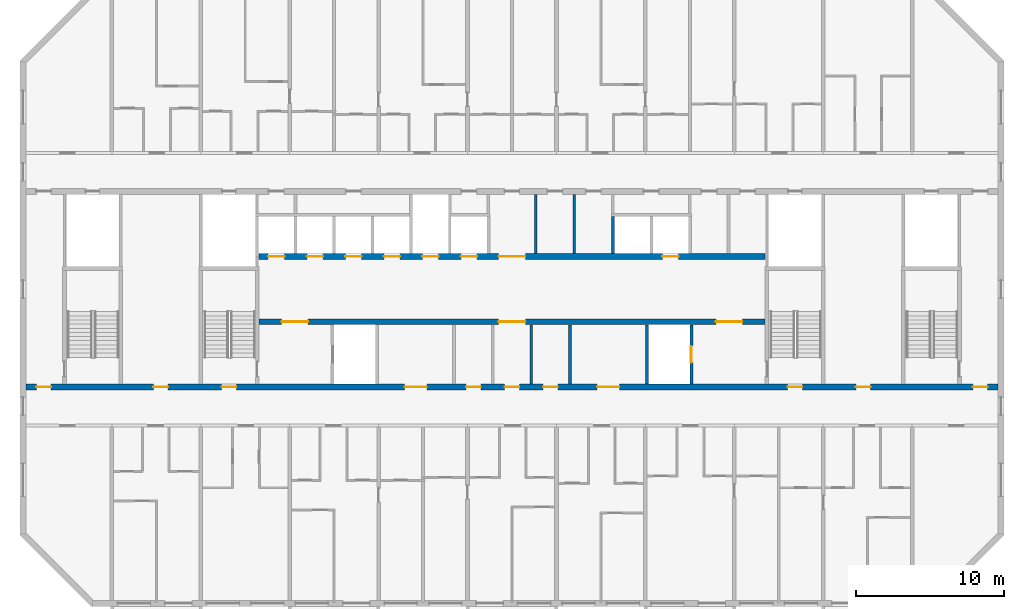
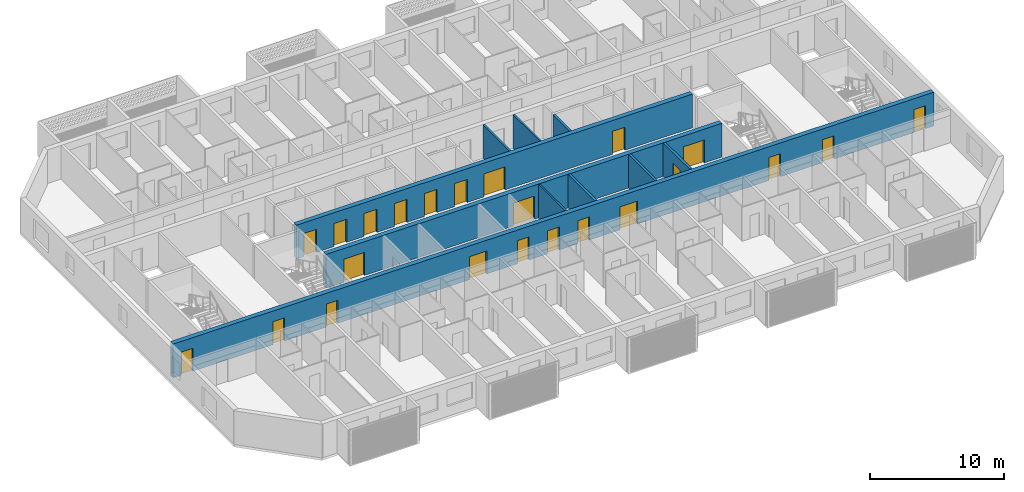
# One storey, part 6 of 27: 23 doors, 10 walls, 23 openings.
"""IFC4 building model written with IfcOpenShell, lengths in metres."""

from ifc_helpers import new_model, si_unit, direction, frame, frame_2d, origin, place, context, subcontext, project, spatial, rectangle, extrude, material, layer, layer_set, type_object, element, fill, save


model = new_model("IFC4")

# Units and contexts
model_context = context("Model", 3, precision=1e-05, world=origin(), true_north=direction((0.0, 1.0)))
body_context = subcontext(model_context, "Body", "Model", "MODEL_VIEW")
ifc_project = project(units=[si_unit("LENGTHUNIT", "METRE"), si_unit("AREAUNIT", "SQUARE_METRE"), si_unit("VOLUMEUNIT", "CUBIC_METRE"), si_unit("PLANEANGLEUNIT", "RADIAN"), si_unit("MASSUNIT", "GRAM", prefix="KILO")], contexts=[model_context])

# Site, building, storey
site_placement = place(None, origin())
site = spatial("IfcSite", under=ifc_project, at=site_placement, CompositionType="ELEMENT")
building_placement = place(site_placement, origin())
building = spatial("IfcBuilding", under=site, at=building_placement, Name="Poui Terraces", CompositionType="ELEMENT")
storey_placement = place(building_placement, frame((0.0, 0.0, 195.0)))
storey = spatial("IfcBuildingStorey", under=building, at=storey_placement, Name="L54", CompositionType="ELEMENT", Elevation=195.0)

# Wall, openings, doors
ifc_material_1 = material(Name="Concrete 50 MPa", Category="concrete")
ifc_layer_1 = layer(ifc_material_1, 0.39990234375)
ifc_layer_set_1 = layer_set([ifc_layer_1], Name="Concrete 50 MPa")
wall_type_1 = type_object("IfcWallType", Name="CORE WALL 400 50 MPA", PredefinedType="SOLIDWALL", material=ifc_layer_set_1)
wall_1_placement = place(storey_placement, frame((33.925048828125, 19.0, 0.0), z_axis=(0.0, 0.0, 1.0), x_axis=(1.0, 0.0, 0.0)))
wall_1 = element("IfcWall", 1, at=wall_1_placement, inside=storey, type_object=wall_type_1, Name="CORE WALL", PredefinedType="SOLIDWALL", context=body_context, shape_type="SweptSolid", body=[
    extrude(rectangle(XDim=34.14990234375, YDim=0.39990234375, at=frame_2d((17.074951171875, 0.0))), origin(), (0.0, 0.0, 1.0), 3.080078125),
])
opening_1_placement = place(wall_1_placement, frame((16.175048828125, 0.0, 0.0)))
opening_1 = element("IfcOpeningElement", 2, at=opening_1_placement, cuts=wall_1, Name="Opening FDD60", PredefinedType="OPENING", context=body_context, shape_type="SweptSolid", body=[
    extrude(rectangle(XDim=1.800048828125, YDim=2.10009765625, at=frame_2d((0.89990234375, 1.050048828125))), frame((0.0, 0.2099609375, 0.0), z_axis=(0.0, -1.0, 0.0), x_axis=(1.0, 0.0, 0.0)), (0.0, 0.0, 1.0), 0.419921875),
])
opening_2_placement = place(wall_1_placement, frame((1.52490234375, 0.0, 0.0)))
opening_2 = element("IfcOpeningElement", 3, at=opening_2_placement, cuts=wall_1, Name="Opening FDD60", PredefinedType="OPENING", context=body_context, shape_type="SweptSolid", body=[
    extrude(rectangle(XDim=1.800048828125, YDim=2.10009765625, at=frame_2d((0.89990234375, 1.050048828125))), frame((0.0, 0.2099609375, 0.0), z_axis=(0.0, -1.0, 0.0), x_axis=(1.0, 0.0, 0.0)), (0.0, 0.0, 1.0), 0.419921875),
])
opening_3_placement = place(wall_1_placement, frame((30.824951171875, 0.0, 0.0)))
opening_3 = element("IfcOpeningElement", 4, at=opening_3_placement, cuts=wall_1, Name="Opening FDD60", PredefinedType="OPENING", context=body_context, shape_type="SweptSolid", body=[
    extrude(rectangle(XDim=1.800048828125, YDim=2.10009765625, at=frame_2d((0.89990234375, 1.050048828125))), frame((0.0, 0.2099609375, 0.0), z_axis=(0.0, -1.0, 0.0), x_axis=(1.0, 0.0, 0.0)), (0.0, 0.0, 1.0), 0.419921875),
])
ifc_material_2 = material(Name="Steel fire door", Category="steel")
door_type_1 = type_object("IfcDoorType", Name="DOUBLE LOBBY FIRE DOOR 1800 X 2100", OperationType="DOUBLE_DOOR_SINGLE_SWING", PredefinedType="DOOR", material=ifc_material_2)
door_1_placement = place(opening_1_placement, frame((1.800048828125, 0.0, 0.0), z_axis=(0.0, 0.0, 1.0), x_axis=(-1.0, 0.0, 0.0)))
door_1 = element("IfcDoor", 5, at=door_1_placement, inside=storey, type_object=door_type_1, Name="DOUBLE LOBBY FIRE DOOR 104", OperationType="DOUBLE_DOOR_SINGLE_SWING", OverallHeight=2.10009765625, OverallWidth=1.800048828125, PredefinedType="DOOR", context=body_context, shape_type="SweptSolid", body=[
    extrude(rectangle(XDim=1.800048828125, YDim=2.10009765625, at=frame_2d((0.89990234375, 1.050048828125))), frame((0.0, 0.02490234375, 0.0), z_axis=(0.0, -1.0, 0.0), x_axis=(1.0, 0.0, 0.0)), (0.0, 0.0, 1.0), 0.050048828125),
])
fill(opening_1, door_1)
door_2_placement = place(opening_2_placement, origin())
door_2 = element("IfcDoor", 6, at=door_2_placement, inside=storey, type_object=door_type_1, Name="DOUBLE LOBBY FIRE DOOR 106", OperationType="DOUBLE_DOOR_SINGLE_SWING", OverallHeight=2.10009765625, OverallWidth=1.800048828125, PredefinedType="DOOR", context=body_context, shape_type="SweptSolid", body=[
    extrude(rectangle(XDim=1.800048828125, YDim=2.10009765625, at=frame_2d((0.89990234375, 1.050048828125))), frame((0.0, 0.02490234375, 0.0), z_axis=(0.0, -1.0, 0.0), x_axis=(1.0, 0.0, 0.0)), (0.0, 0.0, 1.0), 0.050048828125),
])
fill(opening_2, door_2)
door_3_placement = place(opening_3_placement, origin())
door_3 = element("IfcDoor", 7, at=door_3_placement, inside=storey, type_object=door_type_1, Name="DOUBLE LOBBY FIRE DOOR 113", OperationType="DOUBLE_DOOR_SINGLE_SWING", OverallHeight=2.10009765625, OverallWidth=1.800048828125, PredefinedType="DOOR", context=body_context, shape_type="SweptSolid", body=[
    extrude(rectangle(XDim=1.800048828125, YDim=2.10009765625, at=frame_2d((0.89990234375, 1.050048828125))), frame((0.0, 0.02490234375, 0.0), z_axis=(0.0, -1.0, 0.0), x_axis=(1.0, 0.0, 0.0)), (0.0, 0.0, 1.0), 0.050048828125),
])
fill(opening_3, door_3)

wall_2_placement = place(storey_placement, frame((33.925048828125, 23.39990234375, 0.0), z_axis=(0.0, 0.0, 1.0), x_axis=(1.0, 0.0, 0.0)))
wall_2 = element("IfcWall", 8, at=wall_2_placement, inside=storey, type_object=wall_type_1, Name="CORE WALL", PredefinedType="SOLIDWALL", context=body_context, shape_type="SweptSolid", body=[
    extrude(rectangle(XDim=34.14990234375, YDim=0.39990234375, at=frame_2d((17.074951171875, 0.0))), origin(), (0.0, 0.0, 1.0), 3.080078125),
])
opening_4_placement = place(wall_2_placement, frame((16.175048828125, 0.0, 0.0)))
opening_4 = element("IfcOpeningElement", 9, at=opening_4_placement, cuts=wall_2, Name="Opening FDD60", PredefinedType="OPENING", context=body_context, shape_type="SweptSolid", body=[
    extrude(rectangle(XDim=1.800048828125, YDim=2.10009765625, at=frame_2d((0.89990234375, 1.050048828125))), frame((0.0, 0.2099609375, 0.0), z_axis=(0.0, -1.0, 0.0), x_axis=(1.0, 0.0, 0.0)), (0.0, 0.0, 1.0), 0.419921875),
])
opening_5_placement = place(wall_2_placement, frame((0.625, 0.0, 0.0)))
opening_5 = element("IfcOpeningElement", 10, at=opening_5_placement, cuts=wall_2, Name="Opening LD", PredefinedType="OPENING", context=body_context, shape_type="SweptSolid", body=[
    extrude(rectangle(XDim=1.10009765625, YDim=2.10009765625, at=frame_2d((0.550048828125, 1.050048828125))), frame((0.0, 0.2099609375, 0.0), z_axis=(0.0, -1.0, 0.0), x_axis=(1.0, 0.0, 0.0)), (0.0, 0.0, 1.0), 0.419921875),
])
opening_6_placement = place(wall_2_placement, frame((3.22509765625, 0.0, 0.0)))
opening_6 = element("IfcOpeningElement", 11, at=opening_6_placement, cuts=wall_2, Name="Opening LD", PredefinedType="OPENING", context=body_context, shape_type="SweptSolid", body=[
    extrude(rectangle(XDim=1.10009765625, YDim=2.10009765625, at=frame_2d((0.550048828125, 1.050048828125))), frame((0.0, 0.2099609375, 0.0), z_axis=(0.0, -1.0, 0.0), x_axis=(1.0, 0.0, 0.0)), (0.0, 0.0, 1.0), 0.419921875),
])
opening_7_placement = place(wall_2_placement, frame((5.824951171875, 0.0, 0.0)))
opening_7 = element("IfcOpeningElement", 12, at=opening_7_placement, cuts=wall_2, Name="Opening LD", PredefinedType="OPENING", context=body_context, shape_type="SweptSolid", body=[
    extrude(rectangle(XDim=1.10009765625, YDim=2.10009765625, at=frame_2d((0.550048828125, 1.050048828125))), frame((0.0, 0.2099609375, 0.0), z_axis=(0.0, -1.0, 0.0), x_axis=(1.0, 0.0, 0.0)), (0.0, 0.0, 1.0), 0.419921875),
])
opening_8_placement = place(wall_2_placement, frame((8.425048828125, 0.0, 0.0)))
opening_8 = element("IfcOpeningElement", 13, at=opening_8_placement, cuts=wall_2, Name="Opening LD", PredefinedType="OPENING", context=body_context, shape_type="SweptSolid", body=[
    extrude(rectangle(XDim=1.10009765625, YDim=2.10009765625, at=frame_2d((0.550048828125, 1.050048828125))), frame((0.0, 0.2099609375, 0.0), z_axis=(0.0, -1.0, 0.0), x_axis=(1.0, 0.0, 0.0)), (0.0, 0.0, 1.0), 0.419921875),
])
opening_9_placement = place(wall_2_placement, frame((11.02490234375, 0.0, 0.0)))
opening_9 = element("IfcOpeningElement", 14, at=opening_9_placement, cuts=wall_2, Name="Opening LD", PredefinedType="OPENING", context=body_context, shape_type="SweptSolid", body=[
    extrude(rectangle(XDim=1.10009765625, YDim=2.10009765625, at=frame_2d((0.550048828125, 1.050048828125))), frame((0.0, 0.2099609375, 0.0), z_axis=(0.0, -1.0, 0.0), x_axis=(1.0, 0.0, 0.0)), (0.0, 0.0, 1.0), 0.419921875),
])
opening_10_placement = place(wall_2_placement, frame((13.625, 0.0, 0.0)))
opening_10 = element("IfcOpeningElement", 15, at=opening_10_placement, cuts=wall_2, Name="Opening LD", PredefinedType="OPENING", context=body_context, shape_type="SweptSolid", body=[
    extrude(rectangle(XDim=1.10009765625, YDim=2.10009765625, at=frame_2d((0.550048828125, 1.050048828125))), frame((0.0, 0.2099609375, 0.0), z_axis=(0.0, -1.0, 0.0), x_axis=(1.0, 0.0, 0.0)), (0.0, 0.0, 1.0), 0.419921875),
])
opening_11_placement = place(wall_2_placement, frame((27.22509765625, 0.0, 0.0)))
opening_11 = element("IfcOpeningElement", 16, at=opening_11_placement, cuts=wall_2, Name="Opening LD", PredefinedType="OPENING", context=body_context, shape_type="SweptSolid", body=[
    extrude(rectangle(XDim=1.10009765625, YDim=2.10009765625, at=frame_2d((0.550048828125, 1.050048828125))), frame((0.0, 0.2099609375, 0.0), z_axis=(0.0, -1.0, 0.0), x_axis=(1.0, 0.0, 0.0)), (0.0, 0.0, 1.0), 0.419921875),
])
door_4_placement = place(opening_4_placement, origin())
door_4 = element("IfcDoor", 17, at=door_4_placement, inside=storey, type_object=door_type_1, Name="DOUBLE LOBBY FIRE DOOR 103", OperationType="DOUBLE_DOOR_SINGLE_SWING", OverallHeight=2.10009765625, OverallWidth=1.800048828125, PredefinedType="DOOR", context=body_context, shape_type="SweptSolid", body=[
    extrude(rectangle(XDim=1.800048828125, YDim=2.10009765625, at=frame_2d((0.89990234375, 1.050048828125))), frame((0.0, 0.02490234375, 0.0), z_axis=(0.0, -1.0, 0.0), x_axis=(1.0, 0.0, 0.0)), (0.0, 0.0, 1.0), 0.050048828125),
])
fill(opening_4, door_4)
ifc_material_3 = material(Name="Stainless steel sliding door", Category="steel")
door_type_2 = type_object("IfcDoorType", Name="LIFT LANDING DOOR 1100 X 2100", OperationType="DOUBLE_DOOR_SLIDING", PredefinedType="DOOR", material=ifc_material_3)
door_5_placement = place(opening_5_placement, origin())
door_5 = element("IfcDoor", 18, at=door_5_placement, inside=storey, type_object=door_type_2, Name="LANDING DOOR", OperationType="DOUBLE_DOOR_SLIDING", OverallHeight=2.10009765625, OverallWidth=1.10009765625, PredefinedType="DOOR", context=body_context, shape_type="SweptSolid", body=[
    extrude(rectangle(XDim=1.10009765625, YDim=2.10009765625, at=frame_2d((0.550048828125, 1.050048828125))), frame((0.0, 0.02490234375, 0.0), z_axis=(0.0, -1.0, 0.0), x_axis=(1.0, 0.0, 0.0)), (0.0, 0.0, 1.0), 0.050048828125),
])
fill(opening_5, door_5)
door_6_placement = place(opening_6_placement, origin())
door_6 = element("IfcDoor", 19, at=door_6_placement, inside=storey, type_object=door_type_2, Name="LANDING DOOR", OperationType="DOUBLE_DOOR_SLIDING", OverallHeight=2.10009765625, OverallWidth=1.10009765625, PredefinedType="DOOR", context=body_context, shape_type="SweptSolid", body=[
    extrude(rectangle(XDim=1.10009765625, YDim=2.10009765625, at=frame_2d((0.550048828125, 1.050048828125))), frame((0.0, 0.02490234375, 0.0), z_axis=(0.0, -1.0, 0.0), x_axis=(1.0, 0.0, 0.0)), (0.0, 0.0, 1.0), 0.050048828125),
])
fill(opening_6, door_6)
door_7_placement = place(opening_7_placement, origin())
door_7 = element("IfcDoor", 20, at=door_7_placement, inside=storey, type_object=door_type_2, Name="LANDING DOOR", OperationType="DOUBLE_DOOR_SLIDING", OverallHeight=2.10009765625, OverallWidth=1.10009765625, PredefinedType="DOOR", context=body_context, shape_type="SweptSolid", body=[
    extrude(rectangle(XDim=1.10009765625, YDim=2.10009765625, at=frame_2d((0.550048828125, 1.050048828125))), frame((0.0, 0.02490234375, 0.0), z_axis=(0.0, -1.0, 0.0), x_axis=(1.0, 0.0, 0.0)), (0.0, 0.0, 1.0), 0.050048828125),
])
fill(opening_7, door_7)
door_8_placement = place(opening_8_placement, origin())
door_8 = element("IfcDoor", 21, at=door_8_placement, inside=storey, type_object=door_type_2, Name="LANDING DOOR", OperationType="DOUBLE_DOOR_SLIDING", OverallHeight=2.10009765625, OverallWidth=1.10009765625, PredefinedType="DOOR", context=body_context, shape_type="SweptSolid", body=[
    extrude(rectangle(XDim=1.10009765625, YDim=2.10009765625, at=frame_2d((0.550048828125, 1.050048828125))), frame((0.0, 0.02490234375, 0.0), z_axis=(0.0, -1.0, 0.0), x_axis=(1.0, 0.0, 0.0)), (0.0, 0.0, 1.0), 0.050048828125),
])
fill(opening_8, door_8)
door_9_placement = place(opening_9_placement, origin())
door_9 = element("IfcDoor", 22, at=door_9_placement, inside=storey, type_object=door_type_2, Name="LANDING DOOR", OperationType="DOUBLE_DOOR_SLIDING", OverallHeight=2.10009765625, OverallWidth=1.10009765625, PredefinedType="DOOR", context=body_context, shape_type="SweptSolid", body=[
    extrude(rectangle(XDim=1.10009765625, YDim=2.10009765625, at=frame_2d((0.550048828125, 1.050048828125))), frame((0.0, 0.02490234375, 0.0), z_axis=(0.0, -1.0, 0.0), x_axis=(1.0, 0.0, 0.0)), (0.0, 0.0, 1.0), 0.050048828125),
])
fill(opening_9, door_9)
door_10_placement = place(opening_10_placement, origin())
door_10 = element("IfcDoor", 23, at=door_10_placement, inside=storey, type_object=door_type_2, Name="LANDING DOOR", OperationType="DOUBLE_DOOR_SLIDING", OverallHeight=2.10009765625, OverallWidth=1.10009765625, PredefinedType="DOOR", context=body_context, shape_type="SweptSolid", body=[
    extrude(rectangle(XDim=1.10009765625, YDim=2.10009765625, at=frame_2d((0.550048828125, 1.050048828125))), frame((0.0, 0.02490234375, 0.0), z_axis=(0.0, -1.0, 0.0), x_axis=(1.0, 0.0, 0.0)), (0.0, 0.0, 1.0), 0.050048828125),
])
fill(opening_10, door_10)
door_11_placement = place(opening_11_placement, origin())
door_11 = element("IfcDoor", 24, at=door_11_placement, inside=storey, type_object=door_type_2, Name="LANDING DOOR", OperationType="DOUBLE_DOOR_SLIDING", OverallHeight=2.10009765625, OverallWidth=1.10009765625, PredefinedType="DOOR", context=body_context, shape_type="SweptSolid", body=[
    extrude(rectangle(XDim=1.10009765625, YDim=2.10009765625, at=frame_2d((0.550048828125, 1.050048828125))), frame((0.0, 0.02490234375, 0.0), z_axis=(0.0, -1.0, 0.0), x_axis=(1.0, 0.0, 0.0)), (0.0, 0.0, 1.0), 0.050048828125),
])
fill(opening_11, door_11)

# Walls
ifc_material_4 = material(Name="Fire-rated plasterboard wall")
ifc_layer_2 = layer(ifc_material_4, 0.14990234375)
ifc_layer_set_2 = layer_set([ifc_layer_2], Name="Fire-rated plasterboard wall")
wall_type_2 = type_object("IfcWallType", Name="CORRIDOR WALL 150", PredefinedType="PARTITIONING", material=ifc_layer_set_2)
for number, where, z_axis, x_axis, name in (
    (25, (52.300048828125, 14.81005859375, 0.0), (0.0, 0.0, 1.0), (0.0, 1.0, 0.0), "CORRIDOR WALL 150"),
    (26, (52.60009765625, 23.610107421875, 0.0), (0.0, 0.0, 1.0), (0.0, 1.0, 0.0), "CORRIDOR WALL 150"),
):
    element("IfcWall", number, at=place(storey_placement, frame(where, z_axis=z_axis, x_axis=x_axis)), inside=storey, type_object=wall_type_2, Name=name, PredefinedType="PARTITIONING", context=body_context, shape_type="SweptSolid", body=[
        extrude(rectangle(XDim=3.97998046875, YDim=0.14990234375, at=frame_2d((1.989990234375, 0.0))), origin(), (0.0, 0.0, 1.0), 3.080078125),
    ])
ifc_material_5 = material(Name="Plasterboard partition")
ifc_layer_3 = layer(ifc_material_5, 0.14990234375)
ifc_layer_set_3 = layer_set([ifc_layer_3], Name="Plasterboard partition")
wall_type_3 = type_object("IfcWallType", Name="PARTITION WALL 150", PredefinedType="PARTITIONING", material=ifc_layer_set_3)
wall_3_placement = place(storey_placement, frame((55.199951171875, 23.610107421875, 0.0), z_axis=(0.0, 0.0, 1.0), x_axis=(0.0, 1.0, 0.0)))
element("IfcWall", 27, at=wall_3_placement, inside=storey, type_object=wall_type_3, Name="PARTITION WALL 150", PredefinedType="PARTITIONING", context=body_context, shape_type="SweptSolid", body=[
    extrude(rectangle(XDim=3.97998046875, YDim=0.14990234375, at=frame_2d((1.989990234375, 0.0))), origin(), (0.0, 0.0, 1.0), 3.080078125),
])
ifc_material_6 = material(Name="Fire-rated masonry wall", Category="masonry")
ifc_layer_4 = layer(ifc_material_6, 0.199951171875)
ifc_layer_set_4 = layer_set([ifc_layer_4], Name="Fire-rated masonry wall")
wall_type_4 = type_object("IfcWallType", Name="PLANT ROOM WALL 200", PredefinedType="PARTITIONING", material=ifc_layer_set_4)
wall_4_placement = place(storey_placement, frame((54.89990234375, 14.81005859375, 0.0), z_axis=(0.0, 0.0, 1.0), x_axis=(0.0, 1.0, 0.0)))
element("IfcWall", 28, at=wall_4_placement, inside=storey, type_object=wall_type_4, Name="PLANT ROOM WALL 200", PredefinedType="PARTITIONING", context=body_context, shape_type="SweptSolid", body=[
    extrude(rectangle(XDim=3.97998046875, YDim=0.199951171875, at=frame_2d((1.989990234375, 0.0))), origin(), (0.0, 0.0, 1.0), 3.080078125),
])
ifc_material_7 = material(Name="Fire-rated masonry shaft wall", Category="masonry")
ifc_layer_5 = layer(ifc_material_7, 0.199951171875)
ifc_layer_set_5 = layer_set([ifc_layer_5], Name="Fire-rated masonry shaft wall")
wall_type_5 = type_object("IfcWallType", Name="SHAFT WALL 200", PredefinedType="PARTITIONING", material=ifc_layer_set_5)
wall_5_placement = place(storey_placement, frame((57.800048828125, 23.610107421875, 0.0), z_axis=(0.0, 0.0, 1.0), x_axis=(0.0, 1.0, 0.0)))
element("IfcWall", 29, at=wall_5_placement, inside=storey, type_object=wall_type_5, Name="SHAFT WALL 200", PredefinedType="PARTITIONING", context=body_context, shape_type="SweptSolid", body=[
    extrude(rectangle(XDim=2.489990234375, YDim=0.199951171875, at=frame_2d((1.2451171875, 0.0))), origin(), (0.0, 0.0, 1.0), 3.080078125),
])
wall_6_placement = place(storey_placement, frame((60.10009765625, 14.81005859375, 0.0), z_axis=(0.0, 0.0, 1.0), x_axis=(0.0, 1.0, 0.0)))
element("IfcWall", 30, at=wall_6_placement, inside=storey, type_object=wall_type_5, Name="SHAFT WALL 200", PredefinedType="PARTITIONING", context=body_context, shape_type="SweptSolid", body=[
    extrude(rectangle(XDim=3.97998046875, YDim=0.199951171875, at=frame_2d((1.989990234375, 0.0))), origin(), (0.0, 0.0, 1.0), 3.080078125),
])

# Wall, opening, door
wall_7_placement = place(storey_placement, frame((63.10009765625, 14.81005859375, 0.0), z_axis=(0.0, 0.0, 1.0), x_axis=(0.0, 1.0, 0.0)))
wall_7 = element("IfcWall", 31, at=wall_7_placement, inside=storey, type_object=wall_type_5, Name="SHAFT WALL 200", PredefinedType="PARTITIONING", context=body_context, shape_type="SweptSolid", body=[
    extrude(rectangle(XDim=3.97998046875, YDim=0.199951171875, at=frame_2d((1.989990234375, 0.0))), origin(), (0.0, 0.0, 1.0), 3.080078125),
])
opening_12_placement = place(wall_7_placement, frame((1.43994140625, 0.0, 0.0)))
opening_12 = element("IfcOpeningElement", 32, at=opening_12_placement, cuts=wall_7, Name="Opening LD", PredefinedType="OPENING", context=body_context, shape_type="SweptSolid", body=[
    extrude(rectangle(XDim=1.10009765625, YDim=2.10009765625, at=frame_2d((0.550048828125, 1.050048828125))), frame((0.0, 0.10986328125, 0.0), z_axis=(0.0, -1.0, 0.0), x_axis=(1.0, 0.0, 0.0)), (0.0, 0.0, 1.0), 0.219970703125),
])
door_12_placement = place(opening_12_placement, origin())
door_12 = element("IfcDoor", 33, at=door_12_placement, inside=storey, type_object=door_type_2, Name="LANDING DOOR", OperationType="DOUBLE_DOOR_SLIDING", OverallHeight=2.10009765625, OverallWidth=1.10009765625, PredefinedType="DOOR", context=body_context, shape_type="SweptSolid", body=[
    extrude(rectangle(XDim=1.10009765625, YDim=2.10009765625, at=frame_2d((0.550048828125, 1.050048828125))), frame((0.0, 0.02490234375, 0.0), z_axis=(0.0, -1.0, 0.0), x_axis=(1.0, 0.0, 0.0)), (0.0, 0.0, 1.0), 0.050048828125),
])
fill(opening_12, door_12)

# Wall, openings, doors
ifc_layer_6 = layer(ifc_material_1, 0.39990234375)
ifc_layer_set_6 = layer_set([ifc_layer_6], Name="Concrete 50 MPa")
wall_type_6 = type_object("IfcWallType", Name="SPINE WALL 400 50 MPA", PredefinedType="SOLIDWALL", material=ifc_layer_set_6)
wall_8_placement = place(storey_placement, frame((18.199951171875, 14.60009765625, 0.0), z_axis=(0.0, 0.0, 1.0), x_axis=(1.0, 0.0, 0.0)))
wall_8 = element("IfcWall", 34, at=wall_8_placement, inside=storey, type_object=wall_type_6, Name="SPINE WALL", PredefinedType="SOLIDWALL", context=body_context, shape_type="SweptSolid", body=[
    extrude(rectangle(XDim=65.60009765625, YDim=0.39990234375, at=frame_2d((32.800048828125, 0.0))), origin(), (0.0, 0.0, 1.0), 3.080078125),
])
opening_13_placement = place(wall_8_placement, frame((0.699951171875, 0.0, 0.0)))
opening_13 = element("IfcOpeningElement", 35, at=opening_13_placement, cuts=wall_8, Name="Opening FDL", PredefinedType="OPENING", context=body_context, shape_type="SweptSolid", body=[
    extrude(rectangle(XDim=1.0, YDim=2.10009765625, at=frame_2d((0.5, 1.050048828125))), frame((0.0, 0.2099609375, 0.0), z_axis=(0.0, -1.0, 0.0), x_axis=(1.0, 0.0, 0.0)), (0.0, 0.0, 1.0), 0.419921875),
])
opening_14_placement = place(wall_8_placement, frame((8.60009765625, 0.0, 0.0)))
opening_14 = element("IfcOpeningElement", 36, at=opening_14_placement, cuts=wall_8, Name="Opening D100", PredefinedType="OPENING", context=body_context, shape_type="SweptSolid", body=[
    extrude(rectangle(XDim=1.0, YDim=2.10009765625, at=frame_2d((0.5, 1.050048828125))), frame((0.0, 0.2099609375, 0.0), z_axis=(0.0, -1.0, 0.0), x_axis=(1.0, 0.0, 0.0)), (0.0, 0.0, 1.0), 0.419921875),
])
opening_15_placement = place(wall_8_placement, frame((13.199951171875, 0.0, 0.0)))
opening_15 = element("IfcOpeningElement", 37, at=opening_15_placement, cuts=wall_8, Name="Opening FD60S", PredefinedType="OPENING", context=body_context, shape_type="SweptSolid", body=[
    extrude(rectangle(XDim=1.0, YDim=2.10009765625, at=frame_2d((0.5, 1.050048828125))), frame((0.0, 0.2099609375, 0.0), z_axis=(0.0, -1.0, 0.0), x_axis=(1.0, 0.0, 0.0)), (0.0, 0.0, 1.0), 0.419921875),
])
opening_16_placement = place(wall_8_placement, frame((25.550048828125, 0.0, 0.0)))
opening_16 = element("IfcOpeningElement", 38, at=opening_16_placement, cuts=wall_8, Name="Opening FDP", PredefinedType="OPENING", context=body_context, shape_type="SweptSolid", body=[
    extrude(rectangle(XDim=1.5, YDim=2.10009765625, at=frame_2d((0.75, 1.050048828125))), frame((0.0, 0.2099609375, 0.0), z_axis=(0.0, -1.0, 0.0), x_axis=(1.0, 0.0, 0.0)), (0.0, 0.0, 1.0), 0.419921875),
])
opening_17_placement = place(wall_8_placement, frame((29.699951171875, 0.0, 0.0)))
opening_17 = element("IfcOpeningElement", 39, at=opening_17_placement, cuts=wall_8, Name="Opening FD60", PredefinedType="OPENING", context=body_context, shape_type="SweptSolid", body=[
    extrude(rectangle(XDim=1.0, YDim=2.10009765625, at=frame_2d((0.5, 1.050048828125))), frame((0.0, 0.2099609375, 0.0), z_axis=(0.0, -1.0, 0.0), x_axis=(1.0, 0.0, 0.0)), (0.0, 0.0, 1.0), 0.419921875),
])
opening_18_placement = place(wall_8_placement, frame((32.300048828125, 0.0, 0.0)))
opening_18 = element("IfcOpeningElement", 40, at=opening_18_placement, cuts=wall_8, Name="Opening FDL", PredefinedType="OPENING", context=body_context, shape_type="SweptSolid", body=[
    extrude(rectangle(XDim=1.0, YDim=2.10009765625, at=frame_2d((0.5, 1.050048828125))), frame((0.0, 0.2099609375, 0.0), z_axis=(0.0, -1.0, 0.0), x_axis=(1.0, 0.0, 0.0)), (0.0, 0.0, 1.0), 0.419921875),
])
opening_19_placement = place(wall_8_placement, frame((34.89990234375, 0.0, 0.0)))
opening_19 = element("IfcOpeningElement", 41, at=opening_19_placement, cuts=wall_8, Name="Opening FD60", PredefinedType="OPENING", context=body_context, shape_type="SweptSolid", body=[
    extrude(rectangle(XDim=1.0, YDim=2.10009765625, at=frame_2d((0.5, 1.050048828125))), frame((0.0, 0.2099609375, 0.0), z_axis=(0.0, -1.0, 0.0), x_axis=(1.0, 0.0, 0.0)), (0.0, 0.0, 1.0), 0.419921875),
])
opening_20_placement = place(wall_8_placement, frame((38.550048828125, 0.0, 0.0)))
opening_20 = element("IfcOpeningElement", 42, at=opening_20_placement, cuts=wall_8, Name="Opening FDP", PredefinedType="OPENING", context=body_context, shape_type="SweptSolid", body=[
    extrude(rectangle(XDim=1.5, YDim=2.10009765625, at=frame_2d((0.75, 1.050048828125))), frame((0.0, 0.2099609375, 0.0), z_axis=(0.0, -1.0, 0.0), x_axis=(1.0, 0.0, 0.0)), (0.0, 0.0, 1.0), 0.419921875),
])
opening_21_placement = place(wall_8_placement, frame((51.39990234375, 0.0, 0.0)))
opening_21 = element("IfcOpeningElement", 43, at=opening_21_placement, cuts=wall_8, Name="Opening FD60S", PredefinedType="OPENING", context=body_context, shape_type="SweptSolid", body=[
    extrude(rectangle(XDim=1.0, YDim=2.10009765625, at=frame_2d((0.5, 1.050048828125))), frame((0.0, 0.2099609375, 0.0), z_axis=(0.0, -1.0, 0.0), x_axis=(1.0, 0.0, 0.0)), (0.0, 0.0, 1.0), 0.419921875),
])
opening_22_placement = place(wall_8_placement, frame((56.0, 0.0, 0.0)))
opening_22 = element("IfcOpeningElement", 44, at=opening_22_placement, cuts=wall_8, Name="Opening D100", PredefinedType="OPENING", context=body_context, shape_type="SweptSolid", body=[
    extrude(rectangle(XDim=1.0, YDim=2.10009765625, at=frame_2d((0.5, 1.050048828125))), frame((0.0, 0.2099609375, 0.0), z_axis=(0.0, -1.0, 0.0), x_axis=(1.0, 0.0, 0.0)), (0.0, 0.0, 1.0), 0.419921875),
])
opening_23_placement = place(wall_8_placement, frame((63.89990234375, 0.0, 0.0)))
opening_23 = element("IfcOpeningElement", 45, at=opening_23_placement, cuts=wall_8, Name="Opening FDL", PredefinedType="OPENING", context=body_context, shape_type="SweptSolid", body=[
    extrude(rectangle(XDim=1.0, YDim=2.10009765625, at=frame_2d((0.5, 1.050048828125))), frame((0.0, 0.2099609375, 0.0), z_axis=(0.0, -1.0, 0.0), x_axis=(1.0, 0.0, 0.0)), (0.0, 0.0, 1.0), 0.419921875),
])
ifc_material_8 = material(Name="Solid core timber door", Category="wood")
door_type_3 = type_object("IfcDoorType", Name="ACCESSIBLE INTERNAL DOOR 1000 X 2100", OperationType="NOTDEFINED", PredefinedType="DOOR", material=ifc_material_8)
door_13_placement = place(opening_14_placement, frame((1.0, 0.0, 0.0), z_axis=(0.0, 0.0, 1.0), x_axis=(-1.0, 0.0, 0.0)))
door_13 = element("IfcDoor", 46, at=door_13_placement, inside=storey, type_object=door_type_3, Name="ACCESSIBLE INTERNAL DOOR 017", OperationType="SINGLE_SWING_LEFT", OverallHeight=2.10009765625, OverallWidth=1.0, PredefinedType="DOOR", context=body_context, shape_type="SweptSolid", body=[
    extrude(rectangle(XDim=1.0, YDim=2.10009765625, at=frame_2d((0.5, 1.050048828125))), frame((0.0, 0.02490234375, 0.0), z_axis=(0.0, -1.0, 0.0), x_axis=(1.0, 0.0, 0.0)), (0.0, 0.0, 1.0), 0.050048828125),
])
fill(opening_14, door_13)
door_14_placement = place(opening_22_placement, frame((1.0, 0.0, 0.0), z_axis=(0.0, 0.0, 1.0), x_axis=(-1.0, 0.0, 0.0)))
door_14 = element("IfcDoor", 47, at=door_14_placement, inside=storey, type_object=door_type_3, Name="ACCESSIBLE INTERNAL DOOR 025", OperationType="SINGLE_SWING_RIGHT", OverallHeight=2.10009765625, OverallWidth=1.0, PredefinedType="DOOR", context=body_context, shape_type="SweptSolid", body=[
    extrude(rectangle(XDim=1.0, YDim=2.10009765625, at=frame_2d((0.5, 1.050048828125))), frame((0.0, 0.02490234375, 0.0), z_axis=(0.0, -1.0, 0.0), x_axis=(1.0, 0.0, 0.0)), (0.0, 0.0, 1.0), 0.050048828125),
])
fill(opening_22, door_14)
door_type_4 = type_object("IfcDoorType", Name="LOBBY FIRE DOOR 1000 X 2100", OperationType="NOTDEFINED", PredefinedType="DOOR", material=ifc_material_2)
door_15_placement = place(opening_13_placement, frame((1.0, 0.0, 0.0), z_axis=(0.0, 0.0, 1.0), x_axis=(-1.0, 0.0, 0.0)))
door_15 = element("IfcDoor", 48, at=door_15_placement, inside=storey, type_object=door_type_4, Name="LOBBY FIRE DOOR 016", OperationType="SINGLE_SWING_RIGHT", OverallHeight=2.10009765625, OverallWidth=1.0, PredefinedType="DOOR", context=body_context, shape_type="SweptSolid", body=[
    extrude(rectangle(XDim=1.0, YDim=2.10009765625, at=frame_2d((0.5, 1.050048828125))), frame((0.0, 0.02490234375, 0.0), z_axis=(0.0, -1.0, 0.0), x_axis=(1.0, 0.0, 0.0)), (0.0, 0.0, 1.0), 0.050048828125),
])
fill(opening_13, door_15)
door_16_placement = place(opening_18_placement, frame((1.0, 0.0, 0.0), z_axis=(0.0, 0.0, 1.0), x_axis=(-1.0, 0.0, 0.0)))
door_16 = element("IfcDoor", 49, at=door_16_placement, inside=storey, type_object=door_type_4, Name="LOBBY FIRE DOOR 021", OperationType="SINGLE_SWING_LEFT", OverallHeight=2.10009765625, OverallWidth=1.0, PredefinedType="DOOR", context=body_context, shape_type="SweptSolid", body=[
    extrude(rectangle(XDim=1.0, YDim=2.10009765625, at=frame_2d((0.5, 1.050048828125))), frame((0.0, 0.02490234375, 0.0), z_axis=(0.0, -1.0, 0.0), x_axis=(1.0, 0.0, 0.0)), (0.0, 0.0, 1.0), 0.050048828125),
])
fill(opening_18, door_16)
door_17_placement = place(opening_23_placement, frame((1.0, 0.0, 0.0), z_axis=(0.0, 0.0, 1.0), x_axis=(-1.0, 0.0, 0.0)))
door_17 = element("IfcDoor", 50, at=door_17_placement, inside=storey, type_object=door_type_4, Name="LOBBY FIRE DOOR 026", OperationType="SINGLE_SWING_LEFT", OverallHeight=2.10009765625, OverallWidth=1.0, PredefinedType="DOOR", context=body_context, shape_type="SweptSolid", body=[
    extrude(rectangle(XDim=1.0, YDim=2.10009765625, at=frame_2d((0.5, 1.050048828125))), frame((0.0, 0.02490234375, 0.0), z_axis=(0.0, -1.0, 0.0), x_axis=(1.0, 0.0, 0.0)), (0.0, 0.0, 1.0), 0.050048828125),
])
fill(opening_23, door_17)
door_type_5 = type_object("IfcDoorType", Name="PLANT ROOM DOOR PAIR 1500 X 2100", OperationType="DOUBLE_DOOR_SINGLE_SWING", PredefinedType="DOOR", material=ifc_material_2)
door_18_placement = place(opening_16_placement, frame((1.5, 0.0, 0.0), z_axis=(0.0, 0.0, 1.0), x_axis=(-1.0, 0.0, 0.0)))
door_18 = element("IfcDoor", 51, at=door_18_placement, inside=storey, type_object=door_type_5, Name="PLANT ROOM DOOR PAIR 019", OperationType="DOUBLE_DOOR_SINGLE_SWING", OverallHeight=2.10009765625, OverallWidth=1.5, PredefinedType="DOOR", context=body_context, shape_type="SweptSolid", body=[
    extrude(rectangle(XDim=1.5, YDim=2.10009765625, at=frame_2d((0.75, 1.050048828125))), frame((0.0, 0.02490234375, 0.0), z_axis=(0.0, -1.0, 0.0), x_axis=(1.0, 0.0, 0.0)), (0.0, 0.0, 1.0), 0.050048828125),
])
fill(opening_16, door_18)
door_19_placement = place(opening_20_placement, frame((1.5, 0.0, 0.0), z_axis=(0.0, 0.0, 1.0), x_axis=(-1.0, 0.0, 0.0)))
door_19 = element("IfcDoor", 52, at=door_19_placement, inside=storey, type_object=door_type_5, Name="PLANT ROOM DOOR PAIR 023", OperationType="DOUBLE_DOOR_SINGLE_SWING", OverallHeight=2.10009765625, OverallWidth=1.5, PredefinedType="DOOR", context=body_context, shape_type="SweptSolid", body=[
    extrude(rectangle(XDim=1.5, YDim=2.10009765625, at=frame_2d((0.75, 1.050048828125))), frame((0.0, 0.02490234375, 0.0), z_axis=(0.0, -1.0, 0.0), x_axis=(1.0, 0.0, 0.0)), (0.0, 0.0, 1.0), 0.050048828125),
])
fill(opening_20, door_19)
door_type_6 = type_object("IfcDoorType", Name="SERVICE ROOM FIRE DOOR 1000 X 2100", OperationType="NOTDEFINED", PredefinedType="DOOR", material=ifc_material_2)
door_20_placement = place(opening_17_placement, frame((1.0, 0.0, 0.0), z_axis=(0.0, 0.0, 1.0), x_axis=(-1.0, 0.0, 0.0)))
door_20 = element("IfcDoor", 53, at=door_20_placement, inside=storey, type_object=door_type_6, Name="SERVICE ROOM FIRE DOOR 020", OperationType="SINGLE_SWING_RIGHT", OverallHeight=2.10009765625, OverallWidth=1.0, PredefinedType="DOOR", context=body_context, shape_type="SweptSolid", body=[
    extrude(rectangle(XDim=1.0, YDim=2.10009765625, at=frame_2d((0.5, 1.050048828125))), frame((0.0, 0.02490234375, 0.0), z_axis=(0.0, -1.0, 0.0), x_axis=(1.0, 0.0, 0.0)), (0.0, 0.0, 1.0), 0.050048828125),
])
fill(opening_17, door_20)
door_21_placement = place(opening_19_placement, frame((1.0, 0.0, 0.0), z_axis=(0.0, 0.0, 1.0), x_axis=(-1.0, 0.0, 0.0)))
door_21 = element("IfcDoor", 54, at=door_21_placement, inside=storey, type_object=door_type_6, Name="SERVICE ROOM FIRE DOOR 022", OperationType="SINGLE_SWING_LEFT", OverallHeight=2.10009765625, OverallWidth=1.0, PredefinedType="DOOR", context=body_context, shape_type="SweptSolid", body=[
    extrude(rectangle(XDim=1.0, YDim=2.10009765625, at=frame_2d((0.5, 1.050048828125))), frame((0.0, 0.02490234375, 0.0), z_axis=(0.0, -1.0, 0.0), x_axis=(1.0, 0.0, 0.0)), (0.0, 0.0, 1.0), 0.050048828125),
])
fill(opening_19, door_21)
door_type_7 = type_object("IfcDoorType", Name="STAIR DOOR 1000 X 2100", OperationType="NOTDEFINED", PredefinedType="DOOR", material=ifc_material_2)
door_22_placement = place(opening_15_placement, origin())
door_22 = element("IfcDoor", 55, at=door_22_placement, inside=storey, type_object=door_type_7, Name="STAIR DOOR 018", OperationType="SINGLE_SWING_RIGHT", OverallHeight=2.10009765625, OverallWidth=1.0, PredefinedType="DOOR", context=body_context, shape_type="SweptSolid", body=[
    extrude(rectangle(XDim=1.0, YDim=2.10009765625, at=frame_2d((0.5, 1.050048828125))), frame((0.0, 0.02490234375, 0.0), z_axis=(0.0, -1.0, 0.0), x_axis=(1.0, 0.0, 0.0)), (0.0, 0.0, 1.0), 0.050048828125),
])
fill(opening_15, door_22)
door_23_placement = place(opening_21_placement, origin())
door_23 = element("IfcDoor", 56, at=door_23_placement, inside=storey, type_object=door_type_7, Name="STAIR DOOR 024", OperationType="SINGLE_SWING_RIGHT", OverallHeight=2.10009765625, OverallWidth=1.0, PredefinedType="DOOR", context=body_context, shape_type="SweptSolid", body=[
    extrude(rectangle(XDim=1.0, YDim=2.10009765625, at=frame_2d((0.5, 1.050048828125))), frame((0.0, 0.02490234375, 0.0), z_axis=(0.0, -1.0, 0.0), x_axis=(1.0, 0.0, 0.0)), (0.0, 0.0, 1.0), 0.050048828125),
])
fill(opening_21, door_23)

save(model, "model.ifc")
